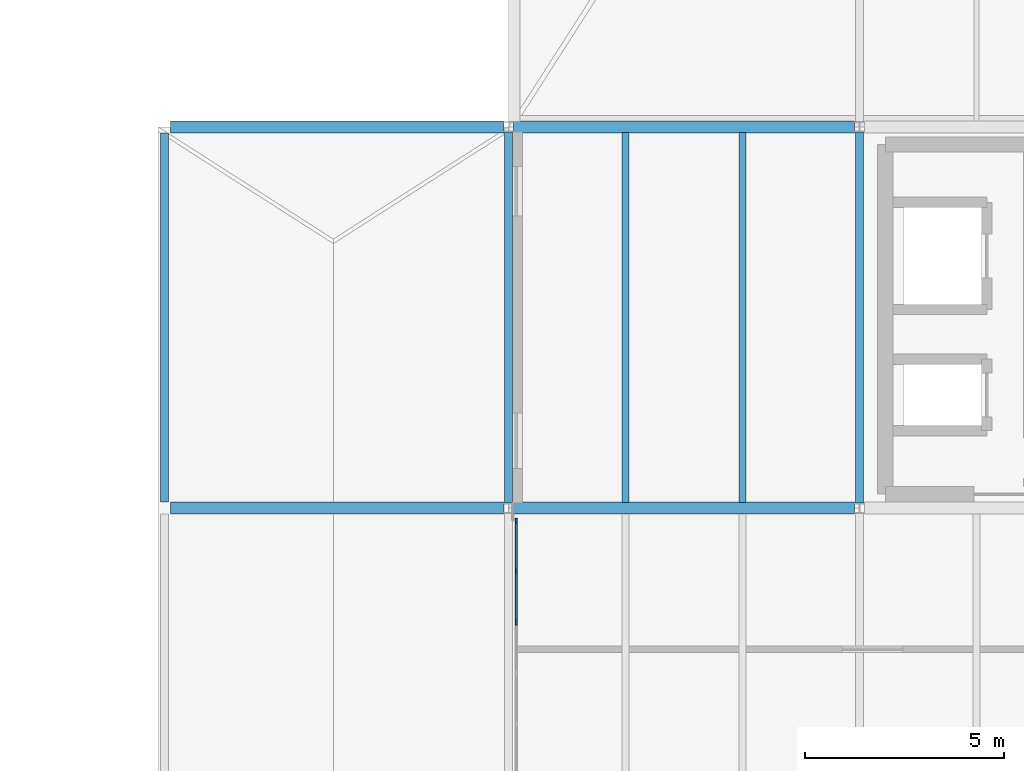
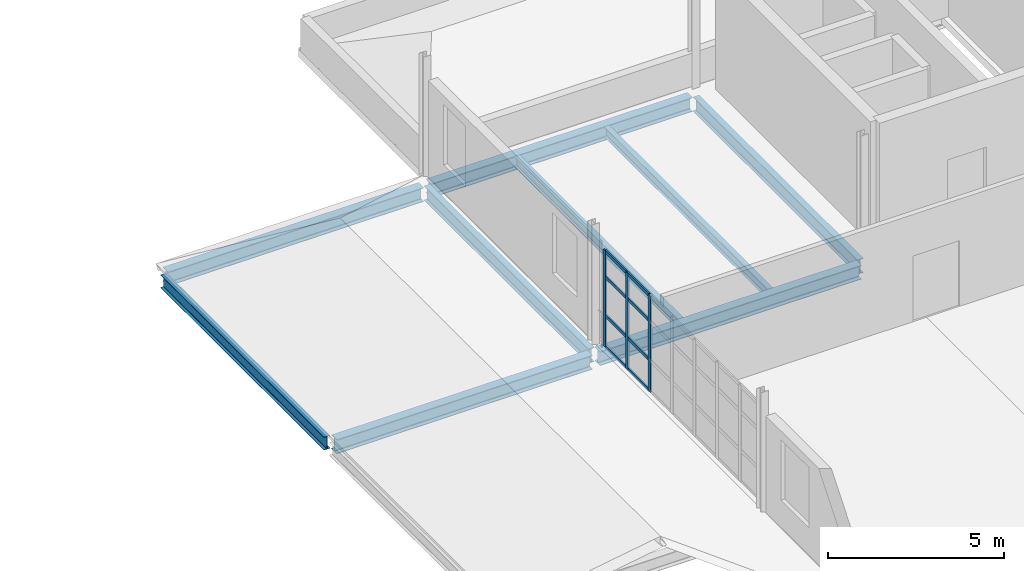
# One storey, part 12 of 28: 11 members, 9 beams, 1 element without a shape of its own.
"""IFC4 building model written with IfcOpenShell, lengths in metres."""

from ifc_helpers import new_model, si_unit, direction, frame, origin, origin_2d, place, context, subcontext, project, spatial, rectangle, i_section, extrude, material, layer, layer_set, material_profile, profile_set, type_object, element, aggregate, save


model = new_model("IFC4")

# Units and contexts
model_context = context("Model", 3, precision=1e-05, world=origin(), true_north=direction((0.0, 1.0)))
body_context = subcontext(model_context, "Body", "Model", "MODEL_VIEW")
ifc_project = project(units=[si_unit("LENGTHUNIT", "METRE"), si_unit("AREAUNIT", "SQUARE_METRE"), si_unit("VOLUMEUNIT", "CUBIC_METRE"), si_unit("PLANEANGLEUNIT", "RADIAN"), si_unit("MASSUNIT", "GRAM", prefix="KILO")], contexts=[model_context])

# Site, building, storey
site_placement = place(None, origin())
site = spatial("IfcSite", under=ifc_project, at=site_placement, CompositionType="ELEMENT")
building_placement = place(site_placement, origin())
building = spatial("IfcBuilding", under=site, at=building_placement, Name="Yeouljin Market Hall", CompositionType="ELEMENT")
storey_placement = place(building_placement, frame((0.0, 0.0, 15.0)))
storey = spatial("IfcBuildingStorey", under=building, at=storey_placement, Name="L03", CompositionType="ELEMENT", Elevation=15.0)

# Beams
ifc_material_1 = material(Name="Steel SM355", Category="steel")
ifc_material_profile_1 = material_profile(ifc_material_1, i_section(OverallWidth=0.199951171875, OverallDepth=0.449951171875, WebThickness=0.009033203125, FlangeThickness=0.013916015625, FilletRadius=0.01806640625, at=origin_2d()), Name="H-450x200x9x14")
ifc_profile_set_1 = profile_set([ifc_material_profile_1], Name="Steel SM355")
beam_type_1 = type_object("IfcBeamType", Name="Beam_H-450x200x9x14", PredefinedType="BEAM", material=ifc_profile_set_1)
beam_placement = place(storey_placement, frame((141.2451171875, 19.35009765625, -0.52490234375), z_axis=(0.0, 1.0, 0.0), x_axis=(-1.0, 0.0, 0.0)))
element("IfcBeam", 1, at=beam_placement, inside=storey, type_object=beam_type_1, Name="Harbour terrace pergola beam BM-L02TR-Y07", PredefinedType="BEAM", context=body_context, shape_type="SweptSolid", body=[
    extrude(i_section(OverallWidth=0.199951171875, OverallDepth=0.449951171875, WebThickness=0.009033203125, FlangeThickness=0.013916015625, FilletRadius=0.01806640625, at=origin_2d()), origin(), (0.0, 0.0, 1.0), 9.2998046875),
])
ifc_material_2 = material(Name="Steel SM355", Category="steel")
ifc_material_profile_2 = material_profile(ifc_material_2, i_section(OverallWidth=0.199951171875, OverallDepth=0.5, WebThickness=0.010009765625, FlangeThickness=0.01611328125, FilletRadius=0.02001953125, at=origin_2d()), Name="H-500x200x10x16")
ifc_profile_set_2 = profile_set([ifc_material_profile_2], Name="Steel SM355")
beam_type_2 = type_object("IfcBeamType", Name="Beam_H-500x200x10x16", PredefinedType="BEAM", material=ifc_profile_set_2)
for number, where, z_axis, x_axis, name in (
    (2, (149.909912109375, 19.324951171875, -0.514892578125), (0.0, 1.0, 0.0), (-1.0, 0.0, 0.0), "Primary beam BM-L03-Y076"),
    (3, (158.739990234375, 19.324951171875, -0.514892578125), (0.0, 1.0, 0.0), (-1.0, 0.0, 0.0), "Primary beam BM-L03-Y079"),
):
    element("IfcBeam", number, at=place(storey_placement, frame(where, z_axis=z_axis, x_axis=x_axis)), inside=storey, type_object=beam_type_2, Name=name, PredefinedType="BEAM", context=body_context, shape_type="SweptSolid", body=[
        extrude(i_section(OverallWidth=0.199951171875, OverallDepth=0.5, WebThickness=0.010009765625, FlangeThickness=0.01611328125, FilletRadius=0.02001953125, at=origin_2d()), origin(), (0.0, 0.0, 1.0), 9.35009765625),
    ])

# Curtain wall, members
ifc_material_3 = material(Name="Thermally Broken Aluminium", Category="aluminium")
ifc_layer = layer(ifc_material_3, 0.14990234375)
ifc_layer_set = layer_set([ifc_layer], Name="Thermally Broken Aluminium")
curtain_wall_type = type_object("IfcCurtainWallType", Name="CW_AcademyRibbon_System", PredefinedType="USERDEFINED", material=ifc_layer_set)
curtain_wall_placement = place(storey_placement, origin())
curtain_wall = element("IfcCurtainWall", 4, at=curtain_wall_placement, inside=storey, type_object=curtain_wall_type, Name="Curtain wall CW-L03-W17", ObjectType="CURTAIN WALL", PredefinedType="USERDEFINED")
ifc_material_4 = material(Name="Thermally Broken Aluminium", Category="aluminium")
ifc_material_profile_3 = material_profile(ifc_material_4, rectangle(XDim=0.048095703125, YDim=0.14990234375, at=origin_2d()), Name="CW-MULL-48x150")
ifc_profile_set_3 = profile_set([ifc_material_profile_3], Name="Thermally Broken Aluminium")
member_type_1 = type_object("IfcMemberType", Name="CWMullion_48x150", PredefinedType="MULLION", material=ifc_profile_set_3)
member_1_placement = place(storey_placement, frame((150.10009765625, 18.8759765625, 0.0), z_axis=(0.0, 0.0, 1.0), x_axis=(1.0, 0.0, 0.0)))
member_1 = element("IfcMember", 5, at=member_1_placement, type_object=member_type_1, Name="CW-05 mullion 1", PredefinedType="MULLION", context=body_context, shape_type="SweptSolid", body=[
    extrude(rectangle(XDim=0.048095703125, YDim=0.14990234375, at=origin_2d()), origin(), (0.0, 0.0, 1.0), 3.35009765625),
])
member_2_placement = place(storey_placement, frame((150.10009765625, 17.6142578125, 0.0), z_axis=(0.0, 0.0, 1.0), x_axis=(1.0, 0.0, 0.0)))
member_2 = element("IfcMember", 6, at=member_2_placement, type_object=member_type_1, Name="CW-05 mullion 2", PredefinedType="MULLION", context=body_context, shape_type="SweptSolid", body=[
    extrude(rectangle(XDim=0.048095703125, YDim=0.14990234375, at=origin_2d()), origin(), (0.0, 0.0, 1.0), 3.35009765625),
])
member_3_placement = place(storey_placement, frame((150.10009765625, 16.32861328125, 0.0), z_axis=(0.0, 0.0, 1.0), x_axis=(1.0, 0.0, 0.0)))
member_3 = element("IfcMember", 7, at=member_3_placement, type_object=member_type_1, Name="CW-05 mullion 3", PredefinedType="MULLION", context=body_context, shape_type="SweptSolid", body=[
    extrude(rectangle(XDim=0.048095703125, YDim=0.14990234375, at=origin_2d()), origin(), (0.0, 0.0, 1.0), 3.35009765625),
])
ifc_material_5 = material(Name="Thermally Broken Aluminium", Category="aluminium")
ifc_material_profile_4 = material_profile(ifc_material_5, rectangle(XDim=0.048095703125, YDim=0.1201171875, at=origin_2d()), Name="CW-TRAN-48x120")
ifc_profile_set_4 = profile_set([ifc_material_profile_4], Name="Thermally Broken Aluminium")
member_type_2 = type_object("IfcMemberType", Name="CWTransom_48x120", PredefinedType="USERDEFINED", material=ifc_profile_set_4)
member_4_placement = place(storey_placement, frame((150.10009765625, 18.85205078125, 0.02392578125), z_axis=(0.0, -1.0, 0.0), x_axis=(1.0, 0.0, 0.0)))
member_4 = element("IfcMember", 8, at=member_4_placement, type_object=member_type_2, Name="CW-05 transom 1.1", ObjectType="TRANSOM", PredefinedType="USERDEFINED", context=body_context, shape_type="SweptSolid", body=[
    extrude(rectangle(XDim=0.048095703125, YDim=0.1201171875, at=origin_2d()), origin(), (0.0, 0.0, 1.0), 1.2138671875),
])
member_5_placement = place(storey_placement, frame((150.10009765625, 18.85205078125, 1.10009765625), z_axis=(0.0, -1.0, 0.0), x_axis=(1.0, 0.0, 0.0)))
member_5 = element("IfcMember", 9, at=member_5_placement, type_object=member_type_2, Name="CW-05 transom 1.2", ObjectType="TRANSOM", PredefinedType="USERDEFINED", context=body_context, shape_type="SweptSolid", body=[
    extrude(rectangle(XDim=0.048095703125, YDim=0.1201171875, at=origin_2d()), origin(), (0.0, 0.0, 1.0), 1.2138671875),
])
member_6_placement = place(storey_placement, frame((150.10009765625, 18.85205078125, 2.449951171875), z_axis=(0.0, -1.0, 0.0), x_axis=(1.0, 0.0, 0.0)))
member_6 = element("IfcMember", 10, at=member_6_placement, type_object=member_type_2, Name="CW-05 transom 1.3", ObjectType="TRANSOM", PredefinedType="USERDEFINED", context=body_context, shape_type="SweptSolid", body=[
    extrude(rectangle(XDim=0.048095703125, YDim=0.1201171875, at=origin_2d()), origin(), (0.0, 0.0, 1.0), 1.2138671875),
])
member_7_placement = place(storey_placement, frame((150.10009765625, 18.85205078125, 3.325927734375), z_axis=(0.0, -1.0, 0.0), x_axis=(1.0, 0.0, 0.0)))
member_7 = element("IfcMember", 11, at=member_7_placement, type_object=member_type_2, Name="CW-05 transom 1.4", ObjectType="TRANSOM", PredefinedType="USERDEFINED", context=body_context, shape_type="SweptSolid", body=[
    extrude(rectangle(XDim=0.048095703125, YDim=0.1201171875, at=origin_2d()), origin(), (0.0, 0.0, 1.0), 1.2138671875),
])
member_8_placement = place(storey_placement, frame((150.10009765625, 17.59033203125, 0.02392578125), z_axis=(0.0, -1.0, 0.0), x_axis=(1.0, 0.0, 0.0)))
member_8 = element("IfcMember", 12, at=member_8_placement, type_object=member_type_2, Name="CW-05 transom 2.1", ObjectType="TRANSOM", PredefinedType="USERDEFINED", context=body_context, shape_type="SweptSolid", body=[
    extrude(rectangle(XDim=0.048095703125, YDim=0.1201171875, at=origin_2d()), origin(), (0.0, 0.0, 1.0), 1.23779296875),
])
member_9_placement = place(storey_placement, frame((150.10009765625, 17.59033203125, 1.10009765625), z_axis=(0.0, -1.0, 0.0), x_axis=(1.0, 0.0, 0.0)))
member_9 = element("IfcMember", 13, at=member_9_placement, type_object=member_type_2, Name="CW-05 transom 2.2", ObjectType="TRANSOM", PredefinedType="USERDEFINED", context=body_context, shape_type="SweptSolid", body=[
    extrude(rectangle(XDim=0.048095703125, YDim=0.1201171875, at=origin_2d()), origin(), (0.0, 0.0, 1.0), 1.23779296875),
])
member_10_placement = place(storey_placement, frame((150.10009765625, 17.59033203125, 2.449951171875), z_axis=(0.0, -1.0, 0.0), x_axis=(1.0, 0.0, 0.0)))
member_10 = element("IfcMember", 14, at=member_10_placement, type_object=member_type_2, Name="CW-05 transom 2.3", ObjectType="TRANSOM", PredefinedType="USERDEFINED", context=body_context, shape_type="SweptSolid", body=[
    extrude(rectangle(XDim=0.048095703125, YDim=0.1201171875, at=origin_2d()), origin(), (0.0, 0.0, 1.0), 1.23779296875),
])
member_11_placement = place(storey_placement, frame((150.10009765625, 17.59033203125, 3.325927734375), z_axis=(0.0, -1.0, 0.0), x_axis=(1.0, 0.0, 0.0)))
member_11 = element("IfcMember", 15, at=member_11_placement, type_object=member_type_2, Name="CW-05 transom 2.4", ObjectType="TRANSOM", PredefinedType="USERDEFINED", context=body_context, shape_type="SweptSolid", body=[
    extrude(rectangle(XDim=0.048095703125, YDim=0.1201171875, at=origin_2d()), origin(), (0.0, 0.0, 1.0), 1.23779296875),
])
aggregate(curtain_wall, [member_1, member_2, member_3, member_4, member_5, member_6, member_7, member_8, member_9, member_10, member_11])

# Beams
ifc_material_6 = material(Name="Steel SM355", Category="steel")
ifc_material_profile_5 = material_profile(ifc_material_6, i_section(OverallWidth=0.300048828125, OverallDepth=0.488037109375, WebThickness=0.010986328125, FlangeThickness=0.01806640625, FilletRadius=0.02197265625, at=origin_2d()), Name="H-488x300x11x18")
ifc_profile_set_5 = profile_set([ifc_material_profile_5], Name="Steel SM355")
beam_type_3 = type_object("IfcBeamType", Name="Girder_H-488x300x11x18", PredefinedType="USERDEFINED", material=ifc_profile_set_5)
for number, where, z_axis, x_axis, name in (
    (16, (150.034912109375, 19.199951171875, -0.509033203125), (1.0, 0.0, 0.0), (0.0, 1.0, 0.0), "Primary girder GRD-L03-X016"),
    (17, (150.034912109375, 28.800048828125, -0.509033203125), (1.0, 0.0, 0.0), (0.0, 1.0, 0.0), "Primary girder GRD-L03-X022"),
):
    element("IfcBeam", number, at=place(storey_placement, frame(where, z_axis=z_axis, x_axis=x_axis)), inside=storey, type_object=beam_type_3, Name=name, ObjectType="GIRDER", PredefinedType="USERDEFINED", context=body_context, shape_type="SweptSolid", body=[
        extrude(i_section(OverallWidth=0.300048828125, OverallDepth=0.488037109375, WebThickness=0.010986328125, FlangeThickness=0.01806640625, FilletRadius=0.02197265625, at=origin_2d()), origin(), (0.0, 0.0, 1.0), 8.580078125),
    ])
for number, where, z_axis, x_axis, name in (
    (18, (141.39501953125, 19.199951171875, -0.5439453125), (1.0, 0.0, 0.0), (0.0, 1.0, 0.0), "Harbour terrace pergola girder GRD-L02TR-X03"),
    (19, (141.39501953125, 28.800048828125, -0.5439453125), (1.0, 0.0, 0.0), (0.0, 1.0, 0.0), "Harbour terrace pergola girder GRD-L02TR-X04"),
):
    element("IfcBeam", number, at=place(storey_placement, frame(where, z_axis=z_axis, x_axis=x_axis)), inside=storey, type_object=beam_type_3, Name=name, ObjectType="GIRDER", PredefinedType="USERDEFINED", context=body_context, shape_type="SweptSolid", body=[
        extrude(i_section(OverallWidth=0.300048828125, OverallDepth=0.488037109375, WebThickness=0.010986328125, FlangeThickness=0.01806640625, FilletRadius=0.02197265625, at=origin_2d()), origin(), (0.0, 0.0, 1.0), 8.389892578125),
    ])
ifc_material_7 = material(Name="Steel SM355", Category="steel")
ifc_material_profile_6 = material_profile(ifc_material_7, i_section(OverallWidth=0.175048828125, OverallDepth=0.35009765625, WebThickness=0.007080078125, FlangeThickness=0.010986328125, FilletRadius=0.013916015625, at=origin_2d()), Name="H-350x175x7x11")
ifc_profile_set_6 = profile_set([ifc_material_profile_6], Name="Steel SM355")
beam_type_4 = type_object("IfcBeamType", Name="Joist_H-350x175x7x11", PredefinedType="JOIST", material=ifc_profile_set_6)
for number, where, z_axis, x_axis, name in (
    (20, (152.853271484375, 19.346923828125, -0.43994140625), (0.0, 1.0, 0.0), (-1.0, 0.0, 0.0), "Secondary floor joist L03-044"),
    (21, (155.796630859375, 19.346923828125, -0.43994140625), (0.0, 1.0, 0.0), (-1.0, 0.0, 0.0), "Secondary floor joist L03-045"),
):
    element("IfcBeam", number, at=place(storey_placement, frame(where, z_axis=z_axis, x_axis=x_axis)), inside=storey, type_object=beam_type_4, Name=name, PredefinedType="JOIST", context=body_context, shape_type="SweptSolid", body=[
        extrude(i_section(OverallWidth=0.175048828125, OverallDepth=0.35009765625, WebThickness=0.007080078125, FlangeThickness=0.010986328125, FilletRadius=0.013916015625, at=origin_2d()), origin(), (0.0, 0.0, 1.0), 9.30615234375),
    ])

save(model, "model.ifc")
